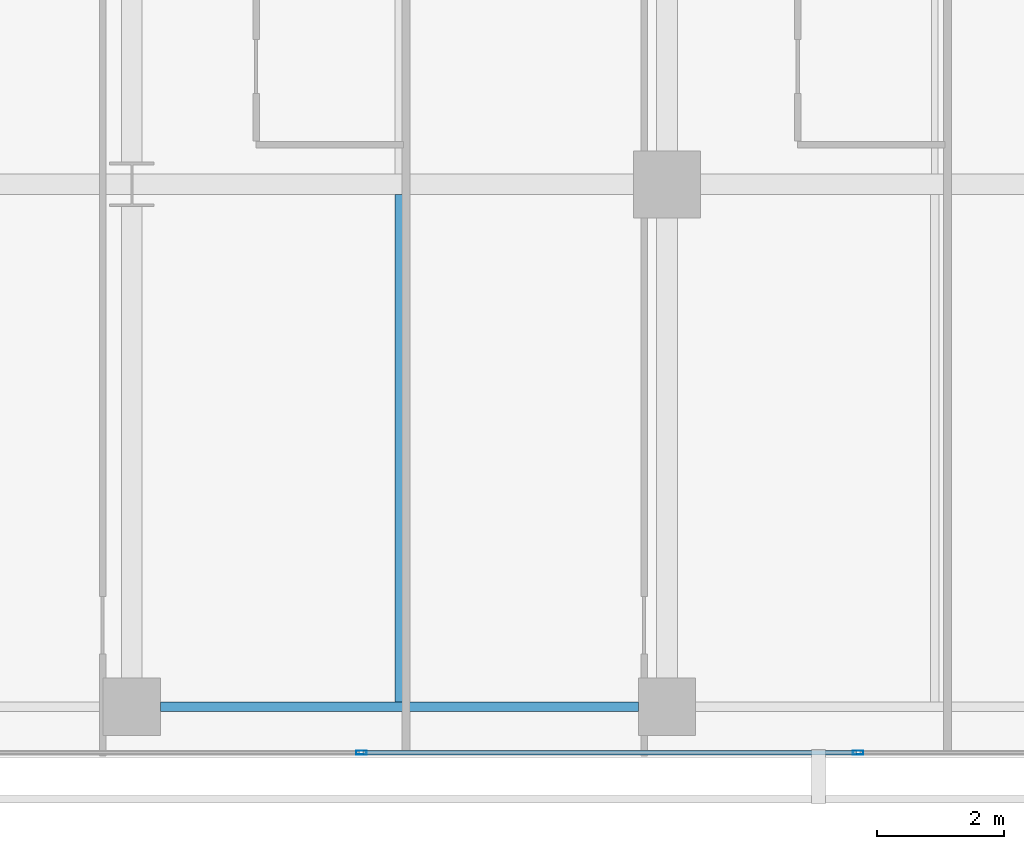
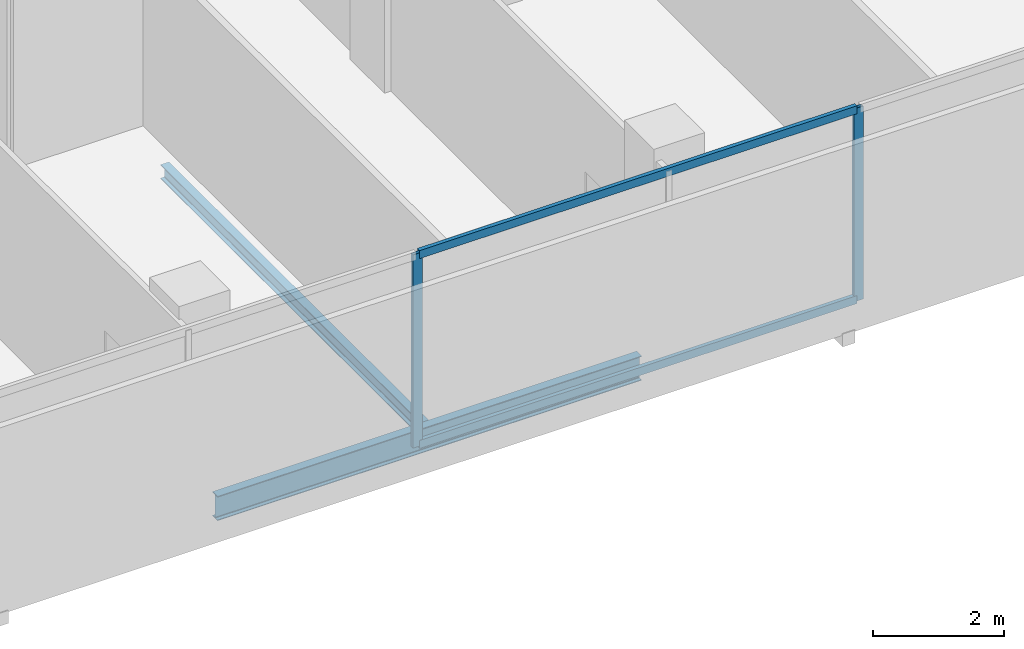
# One storey, part 14 of 40: 4 members, 2 beams, 1 element without a shape of its own.
"""IFC4 building model written with IfcOpenShell, lengths in metres."""

import ifcopenshell
import ifcopenshell.guid

model = None  # the IFC model being written
_history = None  # IfcOwnerHistory: only IFC2X3 demands one
_inside = {}  # id of a spatial element -> (the spatial element, [elements in it])
_under = {}  # id of a project, library or spatial element -> (it, [spatial elements below it])
_declared = {}  # id of a project -> (the project, [libraries it declares])
_typed = {}  # id of a type object -> (the type object, [elements of that type])
_made_of = {}  # id of a material, layer set ... -> (it, [elements and type objects made of it])


def new_model(schema):
    """Start an empty IFC model of exactly this schema.

    Asked for "IFC4X3", IfcOpenShell would pick the latest addendum, in which some entities
    have other attributes; the version numbers below select the first issue.
    IFC2X3 requires an IfcOwnerHistory on every rooted entity: one is made here for all.
    """
    global model, _history
    if schema == "IFC4X3":
        model = ifcopenshell.file(schema_version=(4, 3, 0, 0))
    else:
        model = ifcopenshell.file(schema=schema)
    _inside.clear()
    _under.clear()
    _declared.clear()
    _typed.clear()
    _made_of.clear()
    _history = None
    if model.schema == "IFC2X3":
        org = make("IfcOrganization", Name="unknown")
        user = make(
            "IfcPersonAndOrganization",
            ThePerson=make("IfcPerson", FamilyName="unknown"),
            TheOrganization=org,
        )
        app = make(
            "IfcApplication",
            ApplicationDeveloper=org,
            Version="unknown",
            ApplicationFullName="unknown",
            ApplicationIdentifier="unknown",
        )
        _history = make(
            "IfcOwnerHistory",
            OwningUser=user,
            OwningApplication=app,
            ChangeAction="ADDED",
            CreationDate=0,
        )
    return model


def make(cls, **values):
    """One entity of the class cls with the attributes given. An attribute that is None is left unset."""
    return model.create_entity(
        cls, **{name: value for name, value in values.items() if value is not None}
    )


def rooted(cls, **values):
    """An entity with a GlobalId (a new one), such as an element, a storey or a relation."""
    return make(cls, GlobalId=ifcopenshell.guid.new(), OwnerHistory=_history, **values)


def si_unit(unit_type, name, prefix=None):
    """IfcSIUnit, for example si_unit("LENGTHUNIT", "METRE", prefix="MILLI")."""
    return make("IfcSIUnit", UnitType=unit_type, Prefix=prefix, Name=name)


def assignment(units):
    """IfcUnitAssignment: the units of a project."""
    return None if units is None else make("IfcUnitAssignment", Units=units)


def point(xyz):
    """IfcCartesianPoint."""
    return None if xyz is None else make("IfcCartesianPoint", Coordinates=xyz)


def direction(xyz):
    """IfcDirection."""
    return None if xyz is None else make("IfcDirection", DirectionRatios=xyz)


def frame(location, z_axis=None, x_axis=None):
    """IfcAxis2Placement3D, a coordinate frame: its origin and axes. An axis left out is left unset."""
    return make(
        "IfcAxis2Placement3D",
        Location=point(location),
        Axis=direction(z_axis),
        RefDirection=direction(x_axis),
    )


def frame_2d(location, x_axis=None):
    """IfcAxis2Placement2D, a coordinate frame in the plane: its origin and x axis."""
    return make(
        "IfcAxis2Placement2D", Location=point(location), RefDirection=direction(x_axis)
    )


def origin():
    """The frame at (0, 0, 0) with its axes left unset."""
    return frame((0.0, 0.0, 0.0))


def origin_2d():
    """The frame at (0, 0) in the plane with its x axis left unset."""
    return frame_2d((0.0, 0.0))


def place(relative_to, where):
    """IfcLocalPlacement: puts the frame where relative to a parent placement (None: the world)."""
    return make(
        "IfcLocalPlacement", PlacementRelTo=relative_to, RelativePlacement=where
    )


def context(
    kind, dimensions, precision=None, world=None, true_north=None, identifier=None
):
    """IfcGeometricRepresentationContext, for example the 3D "Model" context."""
    return make(
        "IfcGeometricRepresentationContext",
        ContextIdentifier=identifier,
        ContextType=kind,
        CoordinateSpaceDimension=dimensions,
        Precision=precision,
        WorldCoordinateSystem=world,
        TrueNorth=true_north,
    )


def subcontext(parent, identifier, kind, view, scale=None):
    """IfcGeometricRepresentationSubContext, for example "Body" below "Model"."""
    return make(
        "IfcGeometricRepresentationSubContext",
        ContextIdentifier=identifier,
        ContextType=kind,
        ParentContext=parent,
        TargetScale=scale,
        TargetView=view,
    )


def project(units=None, contexts=None):
    """IfcProject with its units and contexts."""
    return rooted(
        "IfcProject",
        Name="project",
        RepresentationContexts=contexts,
        UnitsInContext=assignment(units),
    )


def spatial(cls, under=None, at=None, **own):
    """A site, building, storey or space (cls), placed at a placement, below another one or the project."""
    s = rooted(cls, ObjectPlacement=at, **own)
    if under is not None:
        _under.setdefault(under.id(), (under, []))[1].append(s)
    return s


def profile(cls, at=None, kind="AREA", **sizes):
    """A parametric profile (cls). Its sizes go by their IFC names, for example OverallWidth=200.0."""
    return make(cls, ProfileType=kind, Position=at, **sizes)


def hollow_rectangle(**sizes):
    """IfcRectangleHollowProfileDef."""
    return profile("IfcRectangleHollowProfileDef", **sizes)


def i_section(**sizes):
    """IfcIShapeProfileDef."""
    return profile("IfcIShapeProfileDef", **sizes)


def extrude(swept, where, along, depth):
    """IfcExtrudedAreaSolid: the profile swept, set in the frame where, extruded along a direction by depth."""
    return make(
        "IfcExtrudedAreaSolid",
        SweptArea=swept,
        Position=where,
        ExtrudedDirection=direction(along),
        Depth=depth,
    )


def shape(context_of_items, identifier, shape_type, items):
    """IfcShapeRepresentation: the items that make up one representation, for example the "Body"."""
    return make(
        "IfcShapeRepresentation",
        ContextOfItems=context_of_items,
        RepresentationIdentifier=identifier,
        RepresentationType=shape_type,
        Items=items,
    )


def material(Name=None, Category=None):
    """IfcMaterial."""
    return make("IfcMaterial", Name=Name, Category=Category)


def layer(
    of_material, thickness, ventilated=None, Name=None, Category=None, Priority=None
):
    """IfcMaterialLayer: one layer of a wall or slab, of a material (None: an air gap)."""
    return make(
        "IfcMaterialLayer",
        Material=of_material,
        LayerThickness=thickness,
        IsVentilated=ventilated,
        Name=Name,
        Category=Category,
        Priority=Priority,
    )


def layer_set(layers, Name=None):
    """IfcMaterialLayerSet."""
    return make("IfcMaterialLayerSet", MaterialLayers=layers, LayerSetName=Name)


def material_profile(
    of_material, cross_section, Name=None, Category=None, Priority=None
):
    """IfcMaterialProfile: a cross section and its material."""
    return make(
        "IfcMaterialProfile",
        Name=Name,
        Material=of_material,
        Profile=cross_section,
        Priority=Priority,
        Category=Category,
    )


def profile_set(profiles, Name=None, composite=None):
    """IfcMaterialProfileSet."""
    return make(
        "IfcMaterialProfileSet",
        Name=Name,
        MaterialProfiles=profiles,
        CompositeProfile=composite,
    )


def made_of(thing, what):
    """Note that an element or type object is made of a material, layer set ...; save() writes the relation."""
    if what is not None:
        _made_of.setdefault(what.id(), (what, []))[1].append(thing)
    return thing


def type_object(cls, material=None, **own):
    """A type object (cls), such as IfcWallType, which elements share."""
    return made_of(rooted(cls, **own), material)


def element(
    cls,
    number,
    at=None,
    inside=None,
    cuts=None,
    type_object=None,
    material=None,
    context=None,
    identifier="Body",
    shape_type=None,
    held_by="IfcProductDefinitionShape",
    body=None,
    shapes=None,
    **own,
):
    """One element of the class cls, such as IfcWall. Its Tag is "e" and its number.

    at: its placement. inside: the storey or other place that contains it. cuts: it is an
    opening in that element (IfcRelVoidsElement). A single representation is given by context,
    identifier, shape_type and body (its items); several are given by shapes. held_by: the class
    of the entity that holds the representations. save() writes the other relations.
    """
    e = rooted(cls, Tag="e%d" % number, ObjectPlacement=at, **own)
    if body is not None:
        shapes = [shape(context, identifier, shape_type, body)]
    if shapes is not None:
        e.Representation = make(held_by, Representations=shapes)
    if inside is not None:
        _inside.setdefault(inside.id(), (inside, []))[1].append(e)
    if cuts is not None:
        rooted(
            "IfcRelVoidsElement", RelatingBuildingElement=cuts, RelatedOpeningElement=e
        )
    if type_object is not None:
        _typed.setdefault(type_object.id(), (type_object, []))[1].append(e)
    return made_of(e, material)


def aggregate(whole, parts):
    """IfcRelAggregates: a whole, such as a stair, and the parts it consists of."""
    return rooted("IfcRelAggregates", RelatingObject=whole, RelatedObjects=parts)


def save(model, path):
    """Write the relations noted so far, then the file.

    IfcRelAggregates (storeys below a building ...), IfcRelContainedInSpatialStructure (elements
    in a storey), IfcRelDefinesByType, IfcRelAssociatesMaterial and IfcRelDeclares: one each for
    every whole, place, type object, material and project.
    """
    for whole, parts in _under.values():
        aggregate(whole, parts)
    for where, things in _inside.values():
        rooted(
            "IfcRelContainedInSpatialStructure",
            RelatedElements=things,
            RelatingStructure=where,
        )
    for kind, things in _typed.values():
        rooted("IfcRelDefinesByType", RelatedObjects=things, RelatingType=kind)
    for what, things in _made_of.values():
        rooted("IfcRelAssociatesMaterial", RelatedObjects=things, RelatingMaterial=what)
    for by, libraries in _declared.values():
        rooted("IfcRelDeclares", RelatingContext=by, RelatedDefinitions=libraries)
    model.write(path)


model = new_model("IFC4")

# Units and contexts
model_context = context("Model", 3, precision=1e-05, world=origin(), true_north=direction((0.0, 1.0)))
body_context = subcontext(model_context, "Body", "Model", "MODEL_VIEW")
ifc_project = project(units=[si_unit("LENGTHUNIT", "METRE"), si_unit("AREAUNIT", "SQUARE_METRE"), si_unit("VOLUMEUNIT", "CUBIC_METRE"), si_unit("PLANEANGLEUNIT", "RADIAN"), si_unit("MASSUNIT", "GRAM", prefix="KILO")], contexts=[model_context])

# Site, building, storey
site_placement = place(None, origin())
site = spatial("IfcSite", under=ifc_project, at=site_placement, CompositionType="ELEMENT")
building_placement = place(site_placement, origin())
building = spatial("IfcBuilding", under=site, at=building_placement, Name="Maruvema Waterfront Hotel and Observation Tower", CompositionType="ELEMENT")
storey_placement = place(building_placement, frame((0.0, 0.0, 92.39990234375)))
storey = spatial("IfcBuildingStorey", under=building, at=storey_placement, Name="L22", CompositionType="ELEMENT", Elevation=92.39990234375)

# Curtain wall, members
ifc_material_1 = material(Name="Anodised bronze aluminium and solar-control low-E IGU", Category="aluminium")
ifc_layer = layer(ifc_material_1, 0.159912109375, Name="Zone 1 Bronze Inner Thermal Curtain Wall System CW-02")
ifc_layer_set = layer_set([ifc_layer], Name="Anodised bronze aluminium and solar-control low-E IGU")
curtain_wall_type = type_object("IfcCurtainWallType", Name="Zone 1 Bronze Inner Thermal Curtain Wall System CW-02", PredefinedType="USERDEFINED", material=ifc_layer_set)
curtain_wall_placement = place(storey_placement, origin())
curtain_wall = element("IfcCurtainWall", 1, at=curtain_wall_placement, inside=storey, type_object=curtain_wall_type, Name="L22 Curtain Wall CW-L22-S", ObjectType="UNITISED CURTAIN WALL", PredefinedType="USERDEFINED")
ifc_material_2 = material(Name="Anodised architectural bronze aluminium", Category="aluminium")
ifc_material_profile_1 = material_profile(ifc_material_2, hollow_rectangle(XDim=0.070068359375, YDim=0.14990234375, WallThickness=0.00390625, at=origin_2d()), Name="ALU-T70x150")
ifc_profile_set_1 = profile_set([ifc_material_profile_1], Name="Anodised architectural bronze aluminium")
member_type_1 = type_object("IfcMemberType", Name="Curtain Wall Horizontal Transom ALU-T70x150", PredefinedType="USERDEFINED", material=ifc_profile_set_1)
member_1_placement = place(storey_placement, frame((45.6298828125, 0.080078125, 0.030029296875), z_axis=(1.0, 0.0, 0.0), x_axis=(0.0, 1.0, 0.0)))
member_1 = element("IfcMember", 2, at=member_1_placement, type_object=member_type_1, Name="CW-02 transom 5.1", ObjectType="TRANSOM", PredefinedType="USERDEFINED", context=body_context, shape_type="SweptSolid", body=[
    extrude(hollow_rectangle(XDim=0.070068359375, YDim=0.14990234375, WallThickness=0.00390625, at=origin_2d()), origin(), (0.0, 0.0, 1.0), 7.740234375),
])
member_2_placement = place(storey_placement, frame((45.6298828125, 0.080078125, 3.580078125), z_axis=(1.0, 0.0, 0.0), x_axis=(0.0, 1.0, 0.0)))
member_2 = element("IfcMember", 3, at=member_2_placement, type_object=member_type_1, Name="CW-02 transom 5.2", ObjectType="TRANSOM", PredefinedType="USERDEFINED", context=body_context, shape_type="SweptSolid", body=[
    extrude(hollow_rectangle(XDim=0.070068359375, YDim=0.14990234375, WallThickness=0.00390625, at=origin_2d()), origin(), (0.0, 0.0, 1.0), 7.740234375),
])
ifc_material_3 = material(Name="Anodised architectural bronze aluminium", Category="aluminium")
ifc_material_profile_2 = material_profile(ifc_material_3, hollow_rectangle(XDim=0.06494140625, YDim=0.1650390625, WallThickness=0.00390625, at=origin_2d()), Name="ALU-M65x165")
ifc_profile_set_2 = profile_set([ifc_material_profile_2], Name="Anodised architectural bronze aluminium")
member_type_2 = type_object("IfcMemberType", Name="Curtain Wall Primary Mullion ALU-M65x165", PredefinedType="MULLION", material=ifc_profile_set_2)
member_3_placement = place(storey_placement, frame((45.60009765625, 0.080078125, 0.0), z_axis=(0.0, 0.0, 1.0), x_axis=(0.0, 1.0, 0.0)))
member_3 = element("IfcMember", 4, at=member_3_placement, type_object=member_type_2, Name="CW-02 mullion 5", PredefinedType="MULLION", context=body_context, shape_type="SweptSolid", body=[
    extrude(hollow_rectangle(XDim=0.06494140625, YDim=0.1650390625, WallThickness=0.00390625, at=origin_2d()), origin(), (0.0, 0.0, 1.0), 3.610107421875),
])
member_4_placement = place(storey_placement, frame((53.39990234375, 0.080078125, 0.0), z_axis=(0.0, 0.0, 1.0), x_axis=(0.0, 1.0, 0.0)))
member_4 = element("IfcMember", 5, at=member_4_placement, type_object=member_type_2, Name="CW-02 mullion 6", PredefinedType="MULLION", context=body_context, shape_type="SweptSolid", body=[
    extrude(hollow_rectangle(XDim=0.06494140625, YDim=0.1650390625, WallThickness=0.00390625, at=origin_2d()), origin(), (0.0, 0.0, 1.0), 3.610107421875),
])
aggregate(curtain_wall, [member_3, member_4, member_1, member_2])

# Beams
ifc_material_4 = material(Name="Steel ASTM A572 Grade 50", Category="steel")
ifc_material_profile_3 = material_profile(ifc_material_4, i_section(OverallWidth=0.153076171875, OverallDepth=0.455078125, WebThickness=0.008056640625, FlangeThickness=0.01318359375, FilletRadius=0.014892578125, at=origin_2d()), Name="W460x60.0")
ifc_profile_set_3 = profile_set([ifc_material_profile_3], Name="Steel ASTM A572 Grade 50")
beam_type_1 = type_object("IfcBeamType", Name="Perimeter Spandrel Beam W460x60.0", PredefinedType="SPANDREL", material=ifc_profile_set_3)
beam_1_placement = place(storey_placement, frame((42.449951171875, 0.800048828125, -0.46728515625), z_axis=(1.0, 0.0, 0.0), x_axis=(0.0, 1.0, 0.0)))
element("IfcBeam", 6, at=beam_1_placement, inside=storey, type_object=beam_type_1, Name="L22 Floor Girder EW-04", PredefinedType="SPANDREL", context=body_context, shape_type="SweptSolid", body=[
    extrude(i_section(OverallWidth=0.153076171875, OverallDepth=0.455078125, WebThickness=0.008056640625, FlangeThickness=0.01318359375, FilletRadius=0.014892578125, at=origin_2d()), origin(), (0.0, 0.0, 1.0), 7.5),
])
ifc_material_5 = material(Name="Steel ASTM A572 Grade 50", Category="steel")
ifc_material_profile_4 = material_profile(ifc_material_5, i_section(OverallWidth=0.14794921875, OverallDepth=0.26611328125, WebThickness=0.007568359375, FlangeThickness=0.012939453125, FilletRadius=0.012939453125, at=origin_2d()), Name="W250x44.8")
ifc_profile_set_4 = profile_set([ifc_material_profile_4], Name="Steel ASTM A572 Grade 50")
beam_type_2 = type_object("IfcBeamType", Name="Secondary Floor Joist W250x44.8", PredefinedType="JOIST", material=ifc_profile_set_4)
beam_2_placement = place(storey_placement, frame((46.199951171875, 0.87646484375, -0.372802734375), z_axis=(0.0, 1.0, 0.0), x_axis=(-1.0, 0.0, 0.0)))
element("IfcBeam", 7, at=beam_2_placement, inside=storey, type_object=beam_type_2, Name="L22 Secondary Floor Joist JS-14", PredefinedType="JOIST", context=body_context, shape_type="SweptSolid", body=[
    extrude(i_section(OverallWidth=0.14794921875, OverallDepth=0.26611328125, WebThickness=0.007568359375, FlangeThickness=0.012939453125, FilletRadius=0.012939453125, at=origin_2d()), origin(), (0.0, 0.0, 1.0), 7.96142578125),
])

save(model, "model.ifc")
